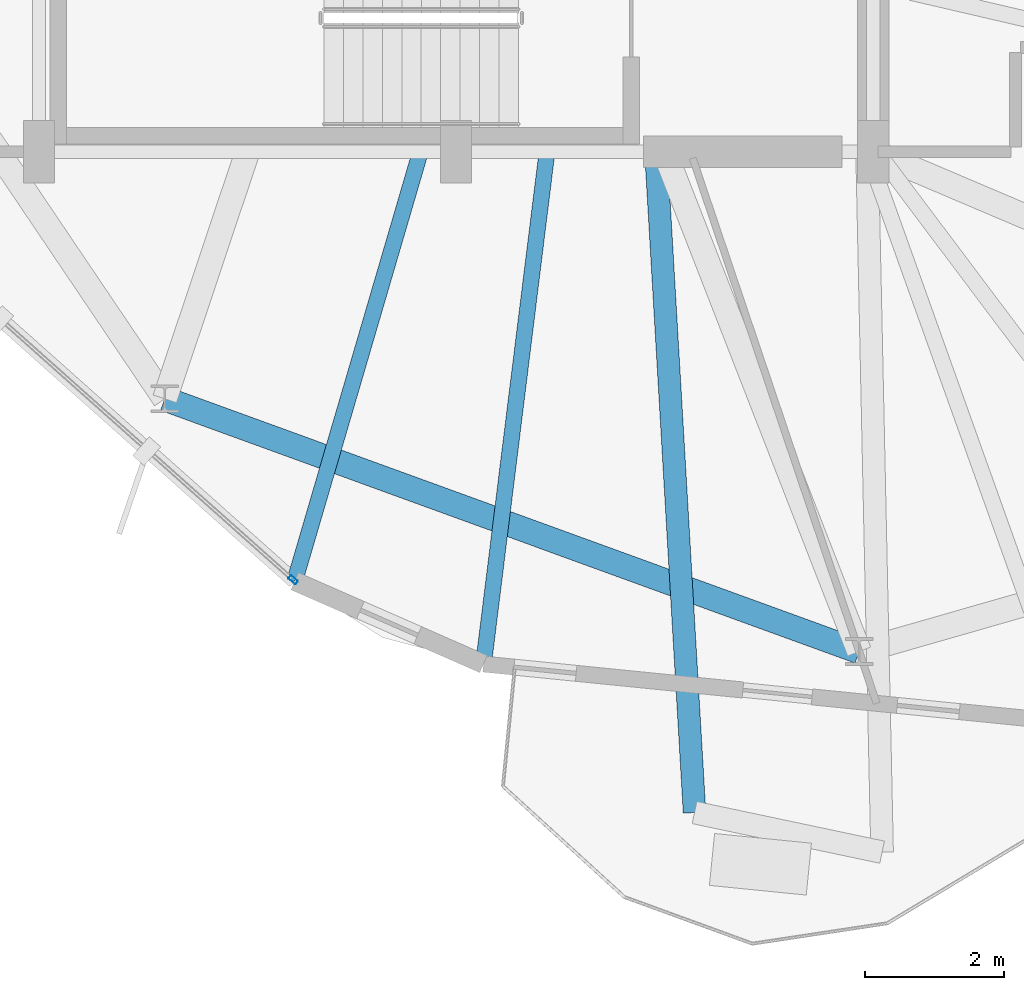
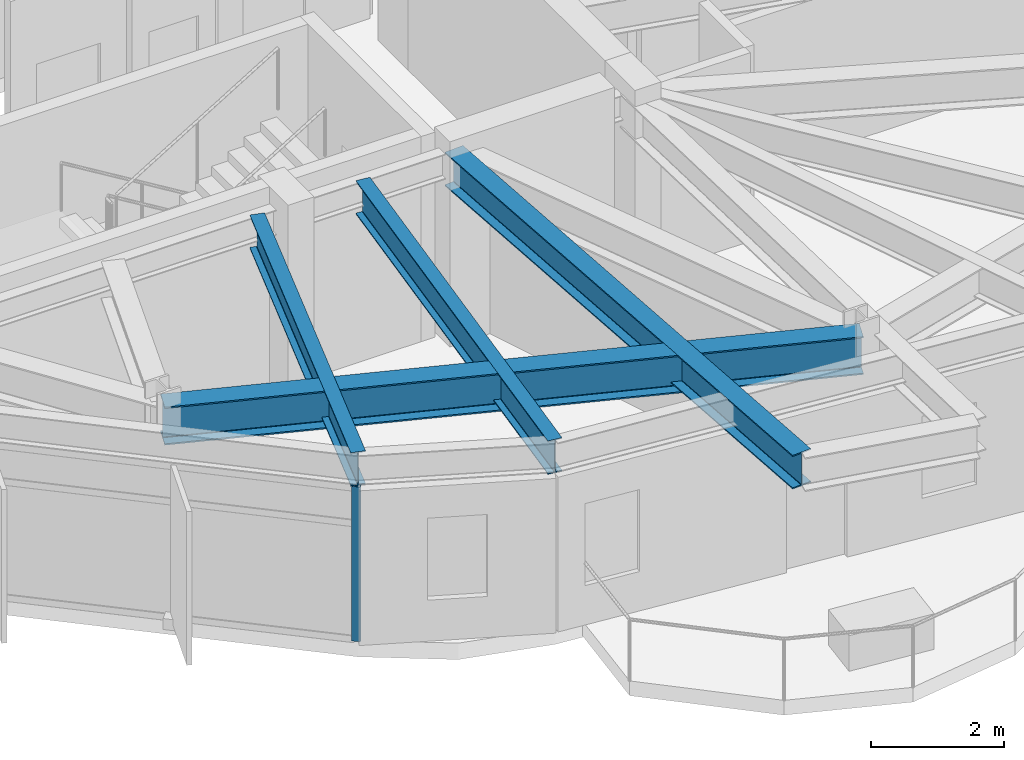
# One storey, part 2 of 25: 4 beams, 1 member, 1 element without a shape of its own.
"""IFC4 building model written with IfcOpenShell, lengths in metres."""

from ifc_helpers import new_model, si_unit, direction, frame, origin, origin_2d, place, context, subcontext, project, spatial, hollow_rectangle, i_section, extrude, material, layer, layer_set, material_profile, profile_set, type_object, element, aggregate, save


model = new_model("IFC4")

# Units and contexts
model_context = context("Model", 3, precision=1e-05, world=origin(), true_north=direction((0.0, 1.0)))
body_context = subcontext(model_context, "Body", "Model", "MODEL_VIEW")
ifc_project = project(units=[si_unit("LENGTHUNIT", "METRE"), si_unit("AREAUNIT", "SQUARE_METRE"), si_unit("VOLUMEUNIT", "CUBIC_METRE"), si_unit("PLANEANGLEUNIT", "RADIAN"), si_unit("MASSUNIT", "GRAM", prefix="KILO")], contexts=[model_context])

# Site, building, storey
site_placement = place(None, origin())
site = spatial("IfcSite", under=ifc_project, at=site_placement, CompositionType="ELEMENT")
building_placement = place(site_placement, origin())
building = spatial("IfcBuilding", under=site, at=building_placement, Name="Soratama Intermodal Tower", CompositionType="ELEMENT")
storey_placement = place(building_placement, frame((0.0, 0.0, 276.25)))
storey = spatial("IfcBuildingStorey", under=building, at=storey_placement, Name="L70", CompositionType="ELEMENT", Elevation=276.25)

# Beams
ifc_material_1 = material(Name="Structural steel ASTM A992 Grade 50", Category="steel")
ifc_material_profile_1 = material_profile(ifc_material_1, i_section(OverallWidth=0.324951171875, OverallDepth=0.615966796875, WebThickness=0.013916015625, FlangeThickness=0.021484375, FilletRadius=0.013916015625, at=origin_2d()), Name="W24X117")
ifc_profile_set_1 = profile_set([ifc_material_profile_1], Name="Structural steel ASTM A992 Grade 50")
beam_type_1 = type_object("IfcBeamType", Name="BM-CANT-W24X117", PredefinedType="BEAM", material=ifc_profile_set_1)
beam_1_placement = place(storey_placement, frame((41.47802734375, 14.9599609375, 3.14208984375), z_axis=(0.058325014734, -0.998297647326, 0.0), x_axis=(0.998297647326, 0.058325014734, 0.0)))
element("IfcBeam", 1, at=beam_1_placement, inside=storey, type_object=beam_type_1, Name="BM-L70-CANT-3-1", PredefinedType="BEAM", context=body_context, shape_type="SweptSolid", body=[
    extrude(i_section(OverallWidth=0.324951171875, OverallDepth=0.615966796875, WebThickness=0.013916015625, FlangeThickness=0.021484375, FilletRadius=0.013916015625, at=origin_2d()), origin(), (0.0, 0.0, 1.0), 9.48095703125),
])
ifc_material_2 = material(Name="Structural steel ASTM A992 Grade 50", Category="steel")
ifc_material_profile_2 = material_profile(ifc_material_2, i_section(OverallWidth=0.35498046875, OverallDepth=0.695068359375, WebThickness=0.015380859375, FlangeThickness=0.02490234375, FilletRadius=0.01611328125, at=origin_2d()), Name="W27X146")
ifc_profile_set_2 = profile_set([ifc_material_profile_2], Name="Structural steel ASTM A992 Grade 50")
beam_type_2 = type_object("IfcBeamType", Name="BM-RING-W27X146", PredefinedType="BEAM", material=ifc_profile_set_2)
beam_2_placement = place(storey_placement, frame((34.410888671875, 11.446044921875, 3.1025390625), z_axis=(0.939713598519, -0.341962501976, 0.0), x_axis=(0.341962501976, 0.939713598519, 0.0)))
element("IfcBeam", 2, at=beam_2_placement, inside=storey, type_object=beam_type_2, Name="BM-L70-RING-07", PredefinedType="BEAM", context=body_context, shape_type="SweptSolid", body=[
    extrude(i_section(OverallWidth=0.35498046875, OverallDepth=0.695068359375, WebThickness=0.015380859375, FlangeThickness=0.02490234375, FilletRadius=0.01611328125, at=origin_2d()), origin(), (0.0, 0.0, 1.0), 10.6298828125),
])
ifc_material_3 = material(Name="Structural steel ASTM A992 Grade 50", Category="steel")
ifc_material_profile_3 = material_profile(ifc_material_3, i_section(OverallWidth=0.22900390625, OverallDepth=0.612060546875, WebThickness=0.011962890625, FlangeThickness=0.01953125, FilletRadius=0.012939453125, at=origin_2d()), Name="W24X84")
ifc_profile_set_3 = profile_set([ifc_material_profile_3], Name="Structural steel ASTM A992 Grade 50")
beam_type_3 = type_object("IfcBeamType", Name="BM-TIE-W24X84", PredefinedType="BEAM", material=ifc_profile_set_3)
beam_3_placement = place(storey_placement, frame((38.076904296875, 14.9619140625, 3.14404296875), z_axis=(-0.281056517392, -0.959691218065, 0.0), x_axis=(0.959691218065, -0.281056517392, 0.0)))
element("IfcBeam", 3, at=beam_3_placement, inside=storey, type_object=beam_type_3, Name="BM-L70-TIE1-05", PredefinedType="BEAM", context=body_context, shape_type="SweptSolid", body=[
    extrude(i_section(OverallWidth=0.22900390625, OverallDepth=0.612060546875, WebThickness=0.011962890625, FlangeThickness=0.01953125, FilletRadius=0.012939453125, at=origin_2d()), origin(), (0.0, 0.0, 1.0), 6.396728515625),
])
beam_4_placement = place(storey_placement, frame((39.904052734375, 14.9599609375, 3.14404296875), z_axis=(-0.123078510144, -0.992396936886, 0.0), x_axis=(0.992396936886, -0.123078510144, 0.0)))
element("IfcBeam", 4, at=beam_4_placement, inside=storey, type_object=beam_type_3, Name="BM-L70-TIE0-06", PredefinedType="BEAM", context=body_context, shape_type="SweptSolid", body=[
    extrude(i_section(OverallWidth=0.22900390625, OverallDepth=0.612060546875, WebThickness=0.011962890625, FlangeThickness=0.01953125, FilletRadius=0.012939453125, at=origin_2d()), origin(), (0.0, 0.0, 1.0), 7.385009765625),
])

# Curtain wall, member
ifc_material_4 = material(Name="Double-glazed aluminium curtain wall", Category="aluminium")
ifc_layer = layer(ifc_material_4, 0.159912109375)
ifc_layer_set = layer_set([ifc_layer], Name="Double-glazed aluminium curtain wall")
curtain_wall_type = type_object("IfcCurtainWallType", Name="CW-SYS-5", PredefinedType="NOTDEFINED", material=ifc_layer_set)
curtain_wall_placement = place(storey_placement, origin())
curtain_wall = element("IfcCurtainWall", 5, at=curtain_wall_placement, inside=storey, type_object=curtain_wall_type, Name="L70 Faceted Curtain Wall F05", PredefinedType="NOTDEFINED")
ifc_material_5 = material(Name="Anodised aluminium AA 6063-T6", Category="aluminium")
ifc_material_profile_4 = material_profile(ifc_material_5, hollow_rectangle(XDim=0.06494140625, YDim=0.139892578125, WallThickness=0.0048828125, InnerFilletRadius=0.0048828125, OuterFilletRadius=0.010009765625, at=origin_2d()), Name="CWM140X65X5")
ifc_profile_set_4 = profile_set([ifc_material_profile_4], Name="Anodised aluminium AA 6063-T6")
member_type = type_object("IfcMemberType", Name="MT-CWM-5", PredefinedType="MULLION", material=ifc_profile_set_4)
member_placement = place(storey_placement, frame((36.256591796875, 8.843017578125, 0.0), z_axis=(0.0, 0.0, 1.0), x_axis=(0.665233827722, 0.746635087881, 0.0)))
member = element("IfcMember", 6, at=member_placement, type_object=member_type, Name="CW-5 mullion 2", PredefinedType="MULLION", context=body_context, shape_type="SweptSolid", body=[
    extrude(hollow_rectangle(XDim=0.06494140625, YDim=0.139892578125, WallThickness=0.0048828125, InnerFilletRadius=0.0048828125, OuterFilletRadius=0.010009765625, at=origin_2d()), origin(), (0.0, 0.0, 1.0), 2.8291015625),
])
aggregate(curtain_wall, [member])

save(model, "model.ifc")
